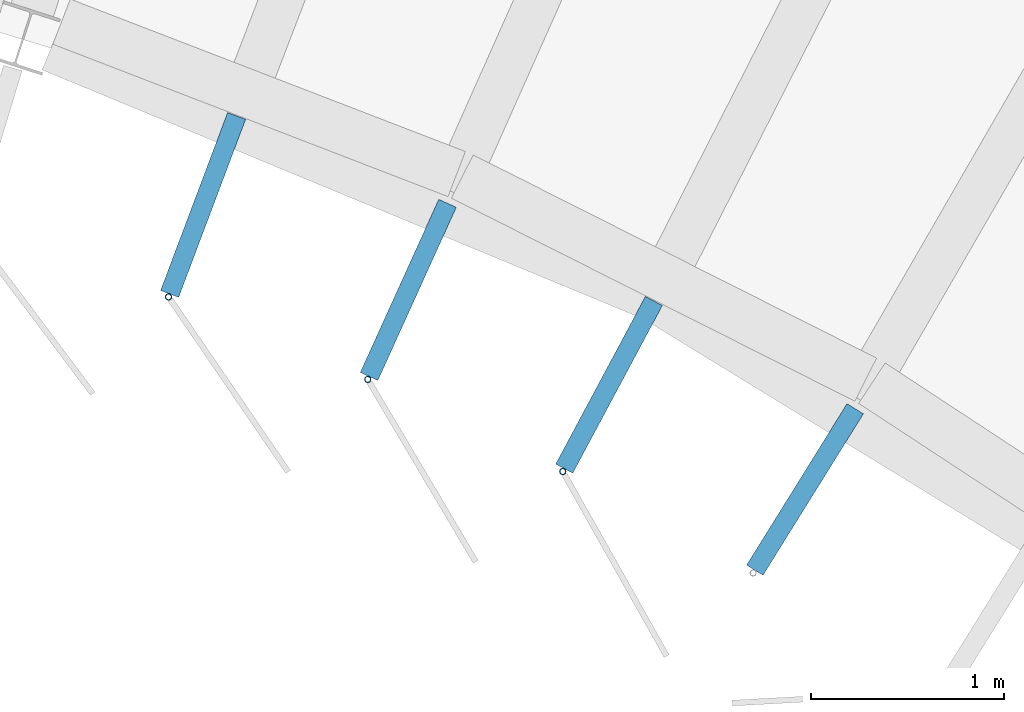
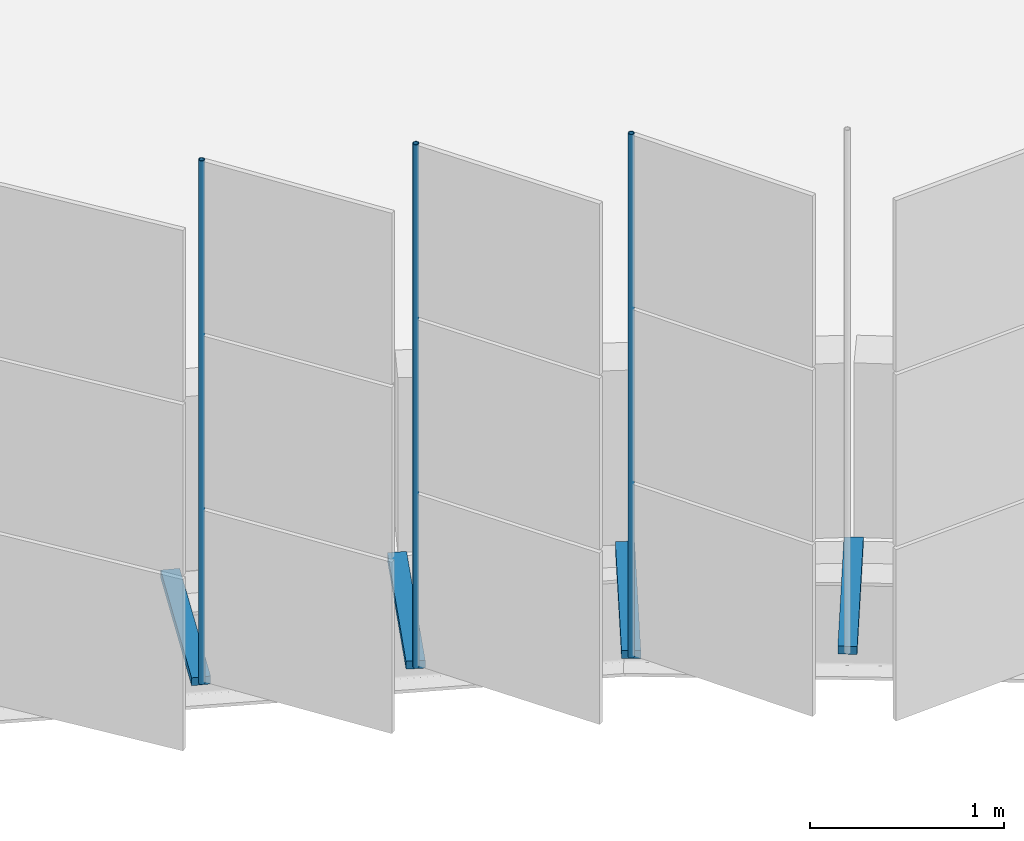
# One storey, part 115 of 199: 7 discrete accessories.
"""IFC4 building model written with IfcOpenShell, lengths in metres."""

from ifc_helpers import new_model, si_unit, direction, frame, origin, origin_2d, place, context, subcontext, project, spatial, rectangle, hollow_circle, extrude, material, material_profile, profile_set, type_object, element, save


model = new_model("IFC4")

# Units and contexts
model_context = context("Model", 3, precision=1e-05, world=origin(), true_north=direction((0.0, 1.0)))
body_context = subcontext(model_context, "Body", "Model", "MODEL_VIEW")
ifc_project = project(units=[si_unit("LENGTHUNIT", "METRE"), si_unit("AREAUNIT", "SQUARE_METRE"), si_unit("VOLUMEUNIT", "CUBIC_METRE"), si_unit("PLANEANGLEUNIT", "RADIAN"), si_unit("MASSUNIT", "GRAM", prefix="KILO")], contexts=[model_context])

# Site, building, storey
site_placement = place(None, origin())
site = spatial("IfcSite", under=ifc_project, at=site_placement, CompositionType="ELEMENT")
building_placement = place(site_placement, origin())
building = spatial("IfcBuilding", under=site, at=building_placement, Name="Parallax Yard Mobility Hub", CompositionType="ELEMENT")
storey_placement = place(building_placement, frame((0.0, 0.0, 9.89990234375)))
storey = spatial("IfcBuildingStorey", under=building, at=storey_placement, Name="L03", CompositionType="ELEMENT", Elevation=9.89990234375)

# Discrete accessories
ifc_material_1 = material(Name="Steel ASTM A36, hot-dip galvanised", Category="steel")
discrete_accessory_type_1 = type_object("IfcDiscreteAccessoryType", Name="Hinge bracket plate 100x50", PredefinedType="BRACKET", material=ifc_material_1)
for number, where, z_axis, x_axis, name in (
    (1, (180.384033203125, 110.535400390625, -0.02490234375), (0.0, 0.0, 1.0), (-0.352250047921, -0.935905926757, 0.0), "Hinge bracket plate bay 19.2 level L03"),
    (2, (181.44580078125, 110.095703125, -0.02490234375), (0.0, 0.0, 1.0), (-0.412707029804, -0.910863824921, 0.0), "Hinge bracket plate bay 19.3 level L03"),
    (3, (182.484619140625, 109.6044921875, -0.02490234375), (0.0, 0.0, 1.0), (-0.471396736826, -0.881921264348, 0.0), "Hinge bracket plate bay 19.4 level L03"),
    (4, (183.498779296875, 109.06298828125, -0.02490234375), (0.0, 0.0, 1.0), (-0.52806785065, -0.849202181527, 0.0), "Hinge bracket plate bay 19.5 level L03"),
):
    element("IfcDiscreteAccessory", number, at=place(storey_placement, frame(where, z_axis=z_axis, x_axis=x_axis)), inside=storey, type_object=discrete_accessory_type_1, Name=name, PredefinedType="BRACKET", context=body_context, shape_type="SweptSolid", body=[
        extrude(rectangle(XDim=0.984130859375, YDim=0.10009765625, at=origin_2d()), origin(), (0.0, 0.0, 1.0), 0.050048828125),
    ])
ifc_material_2 = material(Name="Steel ASTM A500 Gr C, hot-dip galvanised", Category="steel")
ifc_material_profile = material_profile(ifc_material_2, hollow_circle(Radius=0.016845703125, WallThickness=0.003173828125, at=origin_2d()), Name="CHS 33.7x3.2")
ifc_profile_set = profile_set([ifc_material_profile], Name="Steel ASTM A500 Gr C, hot-dip galvanised")
discrete_accessory_type_2 = type_object("IfcDiscreteAccessoryType", Name="Hinge post CHS 33.7x3.2", PredefinedType="BRACKET", material=ifc_profile_set)
for number, where, z_axis, x_axis, name in (
    (5, (180.204833984375, 110.0595703125, 0.0), (0.0, 0.0, 1.0), (1.0, 0.0, 0.0), "Hinge post bay 19.2 level L03"),
    (6, (181.23583984375, 109.632568359375, 0.0), (0.0, 0.0, 1.0), (1.0, 0.0, 0.0), "Hinge post bay 19.3 level L03"),
    (7, (182.2451171875, 109.156005859375, 0.0), (0.0, 0.0, 1.0), (1.0, 0.0, 0.0), "Hinge post bay 19.4 level L03"),
):
    element("IfcDiscreteAccessory", number, at=place(storey_placement, frame(where, z_axis=z_axis, x_axis=x_axis)), inside=storey, type_object=discrete_accessory_type_2, Name=name, PredefinedType="BRACKET", context=body_context, shape_type="SweptSolid", body=[
        extrude(hollow_circle(Radius=0.016845703125, WallThickness=0.003173828125, at=origin_2d()), origin(), (0.0, 0.0, 1.0), 3.300048828125),
    ])

save(model, "model.ifc")
